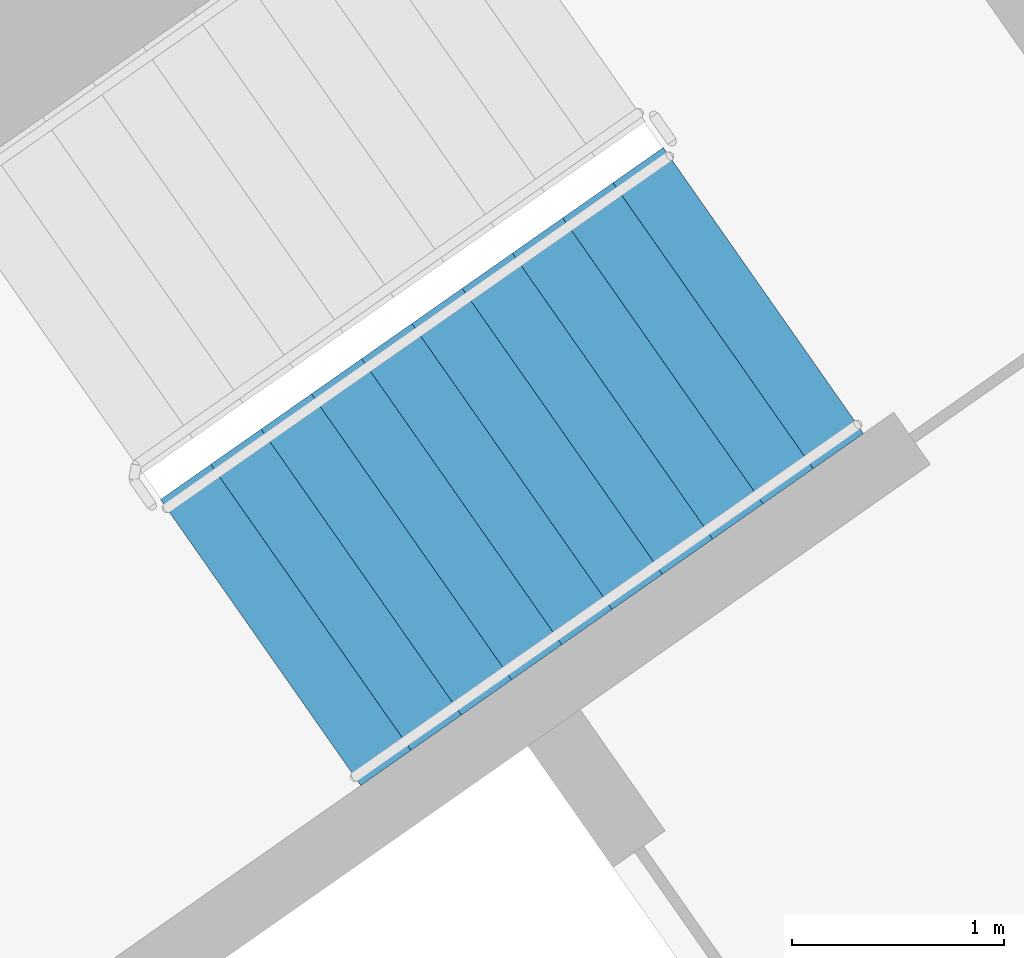
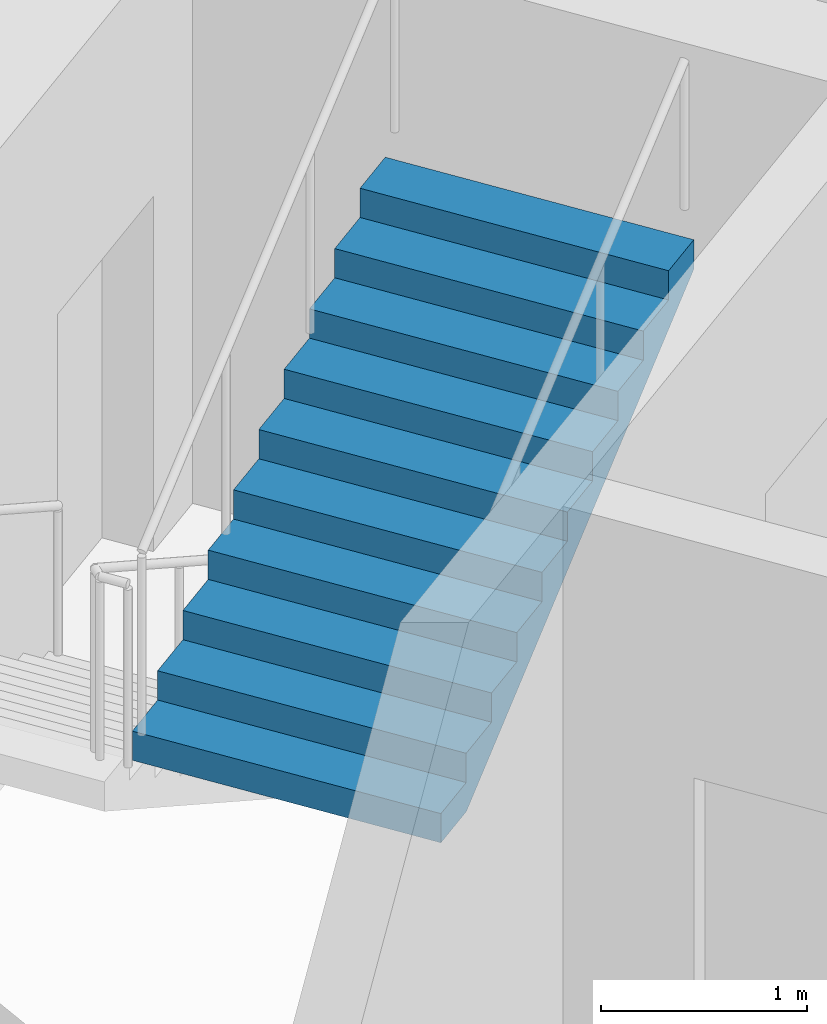
# One storey, part 14 of 29: 1 stair flight, 1 element without a shape of its own.
"""IFC4 building model written with IfcOpenShell, lengths in metres."""

from ifc_helpers import new_model, si_unit, direction, frame, origin, place, context, subcontext, project, spatial, faceted_brep, material, type_object, element, aggregate, save


model = new_model("IFC4")

# Units and contexts
model_context = context("Model", 3, precision=1e-05, world=origin(), true_north=direction((0.0, 1.0)))
body_context = subcontext(model_context, "Body", "Model", "MODEL_VIEW")
ifc_project = project(units=[si_unit("LENGTHUNIT", "METRE"), si_unit("AREAUNIT", "SQUARE_METRE"), si_unit("VOLUMEUNIT", "CUBIC_METRE"), si_unit("PLANEANGLEUNIT", "RADIAN"), si_unit("MASSUNIT", "GRAM", prefix="KILO")], contexts=[model_context])

# Site, building, storey
site_placement = place(None, origin())
site = spatial("IfcSite", under=ifc_project, at=site_placement, CompositionType="ELEMENT")
building_placement = place(site_placement, origin())
building = spatial("IfcBuilding", under=site, at=building_placement, Name="Qamariyya Broadcast Tower", CompositionType="ELEMENT")
storey_placement = place(building_placement, frame((0.0, 0.0, 258.10009765625)))
storey = spatial("IfcBuildingStorey", under=building, at=storey_placement, Name="L62", CompositionType="ELEMENT", Elevation=258.10009765625)

# Stair, stair flight
ifc_material = material(Name="Concrete C50/60", Category="concrete")
stair_type = type_object("IfcStairType", Name="Exit stair 22 risers of 173 mm", PredefinedType="HALF_TURN_STAIR", material=ifc_material)
stair_placement = place(storey_placement, origin())
stair = element("IfcStair", 1, at=stair_placement, inside=storey, type_object=stair_type, Name="L62 Stair E2", PredefinedType="HALF_TURN_STAIR")
stair_flight_type = type_object("IfcStairFlightType", Name="Exit stair flight 11 risers of 173 mm", PredefinedType="STRAIGHT", material=ifc_material)
stair_flight_placement = place(storey_placement, frame((39.215576171875, -50.822998046875, 1.89990234375), z_axis=(0.0, 0.0, 1.0), x_axis=(0.819152044289, 0.573576436351, 0.0)))
stair_flight = element("IfcStairFlight", 2, at=stair_flight_placement, type_object=stair_flight_type, Name="ST-E2 flight 2", NumberOfRisers=11, NumberOfTreads=10, PredefinedType="STRAIGHT", RiserHeight=0.172727273, TreadLength=0.29, context=body_context, shape_type="Brep", body=[
    faceted_brep([(0.0, 0.824951171875, 0.0), (0.0, 0.824951171875, 0.172607421875), (0.2900390625, 0.824951171875, 0.172607421875), (0.2900390625, 0.824951171875, 0.345458984375), (0.580078125, 0.824951171875, 0.345458984375), (0.580078125, 0.824951171875, 0.51806640625), (0.8701171875, 0.824951171875, 0.51806640625), (0.8701171875, 0.824951171875, 0.69091796875), (1.159912109375, 0.824951171875, 0.69091796875), (1.159912109375, 0.824951171875, 0.863525390625), (1.449951171875, 0.824951171875, 0.863525390625), (1.449951171875, 0.824951171875, 1.036376953125), (1.739990234375, 0.824951171875, 1.036376953125), (1.739990234375, 0.824951171875, 1.208984375), (2.030029296875, 0.824951171875, 1.208984375), (2.030029296875, 0.824951171875, 1.3818359375), (2.320068359375, 0.824951171875, 1.3818359375), (2.320068359375, 0.824951171875, 1.554443359375), (2.610107421875, 0.824951171875, 1.554443359375), (2.610107421875, 0.824951171875, 1.727294921875), (2.89990234375, 0.824951171875, 1.727294921875), (2.89990234375, 0.824951171875, 1.552734375), (0.29296875, 0.824951171875, 0.0), (0.29296875, -0.824951171875, 0.0), (2.89990234375, -0.824951171875, 1.552734375), (2.89990234375, -0.824951171875, 1.727294921875), (2.610107421875, -0.824951171875, 1.727294921875), (2.610107421875, -0.824951171875, 1.554443359375), (2.320068359375, -0.824951171875, 1.554443359375), (2.320068359375, -0.824951171875, 1.3818359375), (2.030029296875, -0.824951171875, 1.3818359375), (2.030029296875, -0.824951171875, 1.208984375), (1.739990234375, -0.824951171875, 1.208984375), (1.739990234375, -0.824951171875, 1.036376953125), (1.449951171875, -0.824951171875, 1.036376953125), (1.449951171875, -0.824951171875, 0.863525390625), (1.159912109375, -0.824951171875, 0.863525390625), (1.159912109375, -0.824951171875, 0.69091796875), (0.8701171875, -0.824951171875, 0.69091796875), (0.8701171875, -0.824951171875, 0.51806640625), (0.580078125, -0.824951171875, 0.51806640625), (0.580078125, -0.824951171875, 0.345458984375), (0.2900390625, -0.824951171875, 0.345458984375), (0.2900390625, -0.824951171875, 0.172607421875), (0.0, -0.824951171875, 0.172607421875), (0.0, -0.824951171875, 0.0), (0.0, 0.10009765625, 0.0), (0.0, 0.086669921875, 0.0), (0.0, 0.0732421875, 0.0), (0.0, 0.06005859375, 0.0), (0.0, 0.046630859375, 0.0), (0.0, 0.033447265625, 0.0), (0.0, 0.02001953125, 0.0), (0.0, 0.006591796875, 0.0), (0.0, -0.006591796875, 0.0), (0.0, -0.02001953125, 0.0), (0.0, -0.033447265625, 0.0), (0.0, -0.046630859375, 0.0), (0.0, -0.06005859375, 0.0), (0.0, -0.0732421875, 0.0), (0.0, -0.086669921875, 0.0), (0.0, -0.10009765625, 0.0), (0.0, -0.10009765625, 0.172607421875), (0.0, -0.086669921875, 0.172607421875), (0.0, -0.0732421875, 0.172607421875), (0.0, -0.06005859375, 0.172607421875), (0.0, -0.046630859375, 0.172607421875), (0.0, -0.033447265625, 0.172607421875), (0.0, -0.02001953125, 0.172607421875), (0.0, -0.006591796875, 0.172607421875), (0.0, 0.006591796875, 0.172607421875), (0.0, 0.02001953125, 0.172607421875), (0.0, 0.033447265625, 0.172607421875), (0.0, 0.046630859375, 0.172607421875), (0.0, 0.06005859375, 0.172607421875), (0.0, 0.0732421875, 0.172607421875), (0.0, 0.086669921875, 0.172607421875), (0.0, 0.10009765625, 0.172607421875), (0.2900390625, -0.10009765625, 0.172607421875), (0.2900390625, -0.086669921875, 0.172607421875), (0.2900390625, -0.0732421875, 0.172607421875), (0.2900390625, -0.06005859375, 0.172607421875), (0.2900390625, -0.046630859375, 0.172607421875), (0.2900390625, -0.033447265625, 0.172607421875), (0.2900390625, -0.02001953125, 0.172607421875), (0.2900390625, -0.006591796875, 0.172607421875), (0.2900390625, 0.006591796875, 0.172607421875), (0.2900390625, 0.02001953125, 0.172607421875), (0.2900390625, 0.033447265625, 0.172607421875), (0.2900390625, 0.046630859375, 0.172607421875), (0.2900390625, 0.06005859375, 0.172607421875), (0.2900390625, 0.0732421875, 0.172607421875), (0.2900390625, 0.086669921875, 0.172607421875), (0.2900390625, 0.10009765625, 0.172607421875), (0.2900390625, -0.10009765625, 0.345458984375), (0.2900390625, -0.086669921875, 0.345458984375), (0.2900390625, -0.0732421875, 0.345458984375), (0.2900390625, -0.06005859375, 0.345458984375), (0.2900390625, -0.046630859375, 0.345458984375), (0.2900390625, -0.033447265625, 0.345458984375), (0.2900390625, -0.02001953125, 0.345458984375), (0.2900390625, -0.006591796875, 0.345458984375), (0.2900390625, 0.006591796875, 0.345458984375), (0.2900390625, 0.02001953125, 0.345458984375), (0.2900390625, 0.033447265625, 0.345458984375), (0.2900390625, 0.046630859375, 0.345458984375), (0.2900390625, 0.06005859375, 0.345458984375), (0.2900390625, 0.0732421875, 0.345458984375), (0.2900390625, 0.086669921875, 0.345458984375), (0.2900390625, 0.10009765625, 0.345458984375), (0.580078125, -0.10009765625, 0.345458984375), (0.580078125, -0.086669921875, 0.345458984375), (0.580078125, -0.0732421875, 0.345458984375), (0.580078125, -0.06005859375, 0.345458984375), (0.580078125, -0.046630859375, 0.345458984375), (0.580078125, -0.033447265625, 0.345458984375), (0.580078125, -0.02001953125, 0.345458984375), (0.580078125, -0.006591796875, 0.345458984375), (0.580078125, 0.006591796875, 0.345458984375), (0.580078125, 0.02001953125, 0.345458984375), (0.580078125, 0.033447265625, 0.345458984375), (0.580078125, 0.046630859375, 0.345458984375), (0.580078125, 0.06005859375, 0.345458984375), (0.580078125, 0.0732421875, 0.345458984375), (0.580078125, 0.086669921875, 0.345458984375), (0.580078125, 0.10009765625, 0.345458984375), (0.580078125, -0.10009765625, 0.51806640625), (0.580078125, -0.086669921875, 0.51806640625), (0.580078125, -0.0732421875, 0.51806640625), (0.580078125, -0.06005859375, 0.51806640625), (0.580078125, -0.046630859375, 0.51806640625), (0.580078125, -0.033447265625, 0.51806640625), (0.580078125, -0.02001953125, 0.51806640625), (0.580078125, -0.006591796875, 0.51806640625), (0.580078125, 0.006591796875, 0.51806640625), (0.580078125, 0.02001953125, 0.51806640625), (0.580078125, 0.033447265625, 0.51806640625), (0.580078125, 0.046630859375, 0.51806640625), (0.580078125, 0.06005859375, 0.51806640625), (0.580078125, 0.0732421875, 0.51806640625), (0.580078125, 0.086669921875, 0.51806640625), (0.580078125, 0.10009765625, 0.51806640625), (0.8701171875, -0.10009765625, 0.51806640625), (0.8701171875, -0.086669921875, 0.51806640625), (0.8701171875, -0.0732421875, 0.51806640625), (0.8701171875, -0.06005859375, 0.51806640625), (0.8701171875, -0.046630859375, 0.51806640625), (0.8701171875, -0.033447265625, 0.51806640625), (0.8701171875, -0.02001953125, 0.51806640625), (0.8701171875, -0.006591796875, 0.51806640625), (0.8701171875, 0.006591796875, 0.51806640625), (0.8701171875, 0.02001953125, 0.51806640625), (0.8701171875, 0.033447265625, 0.51806640625), (0.8701171875, 0.046630859375, 0.51806640625), (0.8701171875, 0.06005859375, 0.51806640625), (0.8701171875, 0.0732421875, 0.51806640625), (0.8701171875, 0.086669921875, 0.51806640625), (0.8701171875, 0.10009765625, 0.51806640625), (0.8701171875, -0.10009765625, 0.69091796875), (0.8701171875, -0.086669921875, 0.69091796875), (0.8701171875, -0.0732421875, 0.69091796875), (0.8701171875, -0.06005859375, 0.69091796875), (0.8701171875, -0.046630859375, 0.69091796875), (0.8701171875, -0.033447265625, 0.69091796875), (0.8701171875, -0.02001953125, 0.69091796875), (0.8701171875, -0.006591796875, 0.69091796875), (0.8701171875, 0.006591796875, 0.69091796875), (0.8701171875, 0.02001953125, 0.69091796875), (0.8701171875, 0.033447265625, 0.69091796875), (0.8701171875, 0.046630859375, 0.69091796875), (0.8701171875, 0.06005859375, 0.69091796875), (0.8701171875, 0.0732421875, 0.69091796875), (0.8701171875, 0.086669921875, 0.69091796875), (0.8701171875, 0.10009765625, 0.69091796875), (1.159912109375, -0.10009765625, 0.69091796875), (1.159912109375, -0.086669921875, 0.69091796875), (1.159912109375, -0.0732421875, 0.69091796875), (1.159912109375, -0.06005859375, 0.69091796875), (1.159912109375, -0.046630859375, 0.69091796875), (1.159912109375, -0.033447265625, 0.69091796875), (1.159912109375, -0.02001953125, 0.69091796875), (1.159912109375, -0.006591796875, 0.69091796875), (1.159912109375, 0.006591796875, 0.69091796875), (1.159912109375, 0.02001953125, 0.69091796875), (1.159912109375, 0.033447265625, 0.69091796875), (1.159912109375, 0.046630859375, 0.69091796875), (1.159912109375, 0.06005859375, 0.69091796875), (1.159912109375, 0.0732421875, 0.69091796875), (1.159912109375, 0.086669921875, 0.69091796875), (1.159912109375, 0.10009765625, 0.69091796875), (1.159912109375, -0.10009765625, 0.863525390625), (1.159912109375, -0.086669921875, 0.863525390625), (1.159912109375, -0.0732421875, 0.863525390625), (1.159912109375, -0.06005859375, 0.863525390625), (1.159912109375, -0.046630859375, 0.863525390625), (1.159912109375, -0.033447265625, 0.863525390625), (1.159912109375, -0.02001953125, 0.863525390625), (1.159912109375, -0.006591796875, 0.863525390625), (1.159912109375, 0.006591796875, 0.863525390625), (1.159912109375, 0.02001953125, 0.863525390625), (1.159912109375, 0.033447265625, 0.863525390625), (1.159912109375, 0.046630859375, 0.863525390625), (1.159912109375, 0.06005859375, 0.863525390625), (1.159912109375, 0.0732421875, 0.863525390625), (1.159912109375, 0.086669921875, 0.863525390625), (1.159912109375, 0.10009765625, 0.863525390625), (1.449951171875, -0.10009765625, 0.863525390625), (1.449951171875, -0.086669921875, 0.863525390625), (1.449951171875, -0.0732421875, 0.863525390625), (1.449951171875, -0.06005859375, 0.863525390625), (1.449951171875, -0.046630859375, 0.863525390625), (1.449951171875, -0.033447265625, 0.863525390625), (1.449951171875, -0.02001953125, 0.863525390625), (1.449951171875, -0.006591796875, 0.863525390625), (1.449951171875, 0.006591796875, 0.863525390625), (1.449951171875, 0.02001953125, 0.863525390625), (1.449951171875, 0.033447265625, 0.863525390625), (1.449951171875, 0.046630859375, 0.863525390625), (1.449951171875, 0.06005859375, 0.863525390625), (1.449951171875, 0.0732421875, 0.863525390625), (1.449951171875, 0.086669921875, 0.863525390625), (1.449951171875, 0.10009765625, 0.863525390625), (1.449951171875, -0.10009765625, 1.036376953125), (1.449951171875, -0.086669921875, 1.036376953125), (1.449951171875, -0.0732421875, 1.036376953125), (1.449951171875, -0.06005859375, 1.036376953125), (1.449951171875, -0.046630859375, 1.036376953125), (1.449951171875, -0.033447265625, 1.036376953125), (1.449951171875, -0.02001953125, 1.036376953125), (1.449951171875, -0.006591796875, 1.036376953125), (1.449951171875, 0.006591796875, 1.036376953125), (1.449951171875, 0.02001953125, 1.036376953125), (1.449951171875, 0.033447265625, 1.036376953125), (1.449951171875, 0.046630859375, 1.036376953125), (1.449951171875, 0.06005859375, 1.036376953125), (1.449951171875, 0.0732421875, 1.036376953125), (1.449951171875, 0.086669921875, 1.036376953125), (1.449951171875, 0.10009765625, 1.036376953125), (1.739990234375, -0.10009765625, 1.036376953125), (1.739990234375, -0.086669921875, 1.036376953125), (1.739990234375, -0.0732421875, 1.036376953125), (1.739990234375, -0.06005859375, 1.036376953125), (1.739990234375, -0.046630859375, 1.036376953125), (1.739990234375, -0.033447265625, 1.036376953125), (1.739990234375, -0.02001953125, 1.036376953125), (1.739990234375, -0.006591796875, 1.036376953125), (1.739990234375, 0.006591796875, 1.036376953125), (1.739990234375, 0.02001953125, 1.036376953125), (1.739990234375, 0.033447265625, 1.036376953125), (1.739990234375, 0.046630859375, 1.036376953125), (1.739990234375, 0.06005859375, 1.036376953125), (1.739990234375, 0.0732421875, 1.036376953125), (1.739990234375, 0.086669921875, 1.036376953125), (1.739990234375, 0.10009765625, 1.036376953125), (1.739990234375, -0.10009765625, 1.208984375), (1.739990234375, -0.086669921875, 1.208984375), (1.739990234375, -0.0732421875, 1.208984375), (1.739990234375, -0.06005859375, 1.208984375), (1.739990234375, -0.046630859375, 1.208984375), (1.739990234375, -0.033447265625, 1.208984375), (1.739990234375, -0.02001953125, 1.208984375), (1.739990234375, -0.006591796875, 1.208984375), (1.739990234375, 0.006591796875, 1.208984375), (1.739990234375, 0.02001953125, 1.208984375), (1.739990234375, 0.033447265625, 1.208984375), (1.739990234375, 0.046630859375, 1.208984375), (1.739990234375, 0.06005859375, 1.208984375), (1.739990234375, 0.0732421875, 1.208984375), (1.739990234375, 0.086669921875, 1.208984375), (1.739990234375, 0.10009765625, 1.208984375), (2.030029296875, -0.10009765625, 1.208984375), (2.030029296875, -0.086669921875, 1.208984375), (2.030029296875, -0.0732421875, 1.208984375), (2.030029296875, -0.06005859375, 1.208984375), (2.030029296875, -0.046630859375, 1.208984375), (2.030029296875, -0.033447265625, 1.208984375), (2.030029296875, -0.02001953125, 1.208984375), (2.030029296875, -0.006591796875, 1.208984375), (2.030029296875, 0.006591796875, 1.208984375), (2.030029296875, 0.02001953125, 1.208984375), (2.030029296875, 0.033447265625, 1.208984375), (2.030029296875, 0.046630859375, 1.208984375), (2.030029296875, 0.06005859375, 1.208984375), (2.030029296875, 0.0732421875, 1.208984375), (2.030029296875, 0.086669921875, 1.208984375), (2.030029296875, 0.10009765625, 1.208984375), (2.030029296875, -0.10009765625, 1.3818359375), (2.030029296875, -0.086669921875, 1.3818359375), (2.030029296875, -0.0732421875, 1.3818359375), (2.030029296875, -0.06005859375, 1.3818359375), (2.030029296875, -0.046630859375, 1.3818359375), (2.030029296875, -0.033447265625, 1.3818359375), (2.030029296875, -0.02001953125, 1.3818359375), (2.030029296875, -0.006591796875, 1.3818359375), (2.030029296875, 0.006591796875, 1.3818359375), (2.030029296875, 0.02001953125, 1.3818359375), (2.030029296875, 0.033447265625, 1.3818359375), (2.030029296875, 0.046630859375, 1.3818359375), (2.030029296875, 0.06005859375, 1.3818359375), (2.030029296875, 0.0732421875, 1.3818359375), (2.030029296875, 0.086669921875, 1.3818359375), (2.030029296875, 0.10009765625, 1.3818359375), (2.320068359375, -0.10009765625, 1.3818359375), (2.320068359375, -0.086669921875, 1.3818359375), (2.320068359375, -0.0732421875, 1.3818359375), (2.320068359375, -0.06005859375, 1.3818359375), (2.320068359375, -0.046630859375, 1.3818359375), (2.320068359375, -0.033447265625, 1.3818359375), (2.320068359375, -0.02001953125, 1.3818359375), (2.320068359375, -0.006591796875, 1.3818359375), (2.320068359375, 0.006591796875, 1.3818359375), (2.320068359375, 0.02001953125, 1.3818359375), (2.320068359375, 0.033447265625, 1.3818359375), (2.320068359375, 0.046630859375, 1.3818359375), (2.320068359375, 0.06005859375, 1.3818359375), (2.320068359375, 0.0732421875, 1.3818359375), (2.320068359375, 0.086669921875, 1.3818359375), (2.320068359375, 0.10009765625, 1.3818359375), (2.320068359375, -0.10009765625, 1.554443359375), (2.320068359375, -0.086669921875, 1.554443359375), (2.320068359375, -0.0732421875, 1.554443359375), (2.320068359375, -0.06005859375, 1.554443359375), (2.320068359375, -0.046630859375, 1.554443359375), (2.320068359375, -0.033447265625, 1.554443359375), (2.320068359375, -0.02001953125, 1.554443359375), (2.320068359375, -0.006591796875, 1.554443359375), (2.320068359375, 0.006591796875, 1.554443359375), (2.320068359375, 0.02001953125, 1.554443359375), (2.320068359375, 0.033447265625, 1.554443359375), (2.320068359375, 0.046630859375, 1.554443359375), (2.320068359375, 0.06005859375, 1.554443359375), (2.320068359375, 0.0732421875, 1.554443359375), (2.320068359375, 0.086669921875, 1.554443359375), (2.320068359375, 0.10009765625, 1.554443359375), (2.610107421875, -0.10009765625, 1.554443359375), (2.610107421875, -0.086669921875, 1.554443359375), (2.610107421875, -0.0732421875, 1.554443359375), (2.610107421875, -0.06005859375, 1.554443359375), (2.610107421875, -0.046630859375, 1.554443359375), (2.610107421875, -0.033447265625, 1.554443359375), (2.610107421875, -0.02001953125, 1.554443359375), (2.610107421875, -0.006591796875, 1.554443359375), (2.610107421875, 0.006591796875, 1.554443359375), (2.610107421875, 0.02001953125, 1.554443359375), (2.610107421875, 0.033447265625, 1.554443359375), (2.610107421875, 0.046630859375, 1.554443359375), (2.610107421875, 0.06005859375, 1.554443359375), (2.610107421875, 0.0732421875, 1.554443359375), (2.610107421875, 0.086669921875, 1.554443359375), (2.610107421875, 0.10009765625, 1.554443359375), (2.610107421875, -0.10009765625, 1.727294921875), (2.610107421875, -0.086669921875, 1.727294921875), (2.610107421875, -0.0732421875, 1.727294921875), (2.610107421875, -0.06005859375, 1.727294921875), (2.610107421875, -0.046630859375, 1.727294921875), (2.610107421875, -0.033447265625, 1.727294921875), (2.610107421875, -0.02001953125, 1.727294921875), (2.610107421875, -0.006591796875, 1.727294921875), (2.610107421875, 0.006591796875, 1.727294921875), (2.610107421875, 0.02001953125, 1.727294921875), (2.610107421875, 0.033447265625, 1.727294921875), (2.610107421875, 0.046630859375, 1.727294921875), (2.610107421875, 0.06005859375, 1.727294921875), (2.610107421875, 0.0732421875, 1.727294921875), (2.610107421875, 0.086669921875, 1.727294921875), (2.610107421875, 0.10009765625, 1.727294921875), (2.89990234375, -0.10009765625, 1.727294921875), (2.89990234375, -0.086669921875, 1.727294921875), (2.89990234375, -0.0732421875, 1.727294921875), (2.89990234375, -0.06005859375, 1.727294921875), (2.89990234375, -0.046630859375, 1.727294921875), (2.89990234375, -0.033447265625, 1.727294921875), (2.89990234375, -0.02001953125, 1.727294921875), (2.89990234375, -0.006591796875, 1.727294921875), (2.89990234375, 0.006591796875, 1.727294921875), (2.89990234375, 0.02001953125, 1.727294921875), (2.89990234375, 0.033447265625, 1.727294921875), (2.89990234375, 0.046630859375, 1.727294921875), (2.89990234375, 0.06005859375, 1.727294921875), (2.89990234375, 0.0732421875, 1.727294921875), (2.89990234375, 0.086669921875, 1.727294921875), (2.89990234375, 0.10009765625, 1.727294921875), (2.89990234375, -0.10009765625, 1.552734375), (2.89990234375, -0.086669921875, 1.552734375), (2.89990234375, -0.0732421875, 1.552734375), (2.89990234375, -0.06005859375, 1.552734375), (2.89990234375, -0.046630859375, 1.552734375), (2.89990234375, -0.033447265625, 1.552734375), (2.89990234375, -0.02001953125, 1.552734375), (2.89990234375, -0.006591796875, 1.552734375), (2.89990234375, 0.006591796875, 1.552734375), (2.89990234375, 0.02001953125, 1.552734375), (2.89990234375, 0.033447265625, 1.552734375), (2.89990234375, 0.046630859375, 1.552734375), (2.89990234375, 0.06005859375, 1.552734375), (2.89990234375, 0.0732421875, 1.552734375), (2.89990234375, 0.086669921875, 1.552734375), (2.89990234375, 0.10009765625, 1.552734375), (0.29296875, -0.10009765625, 0.0), (0.29296875, -0.086669921875, 0.0), (0.29296875, -0.0732421875, 0.0), (0.29296875, -0.06005859375, 0.0), (0.29296875, -0.046630859375, 0.0), (0.29296875, -0.033447265625, 0.0), (0.29296875, -0.02001953125, 0.0), (0.29296875, -0.006591796875, 0.0), (0.29296875, 0.006591796875, 0.0), (0.29296875, 0.02001953125, 0.0), (0.29296875, 0.033447265625, 0.0), (0.29296875, 0.046630859375, 0.0), (0.29296875, 0.06005859375, 0.0), (0.29296875, 0.0732421875, 0.0), (0.29296875, 0.086669921875, 0.0), (0.29296875, 0.10009765625, 0.0)], [[[0, 1, 2, 3, 4, 5, 6, 7, 8, 9, 10, 11, 12, 13, 14, 15, 16, 17, 18, 19, 20, 21, 22]], [[23, 24, 25, 26, 27, 28, 29, 30, 31, 32, 33, 34, 35, 36, 37, 38, 39, 40, 41, 42, 43, 44, 45]], [[0, 46, 47, 48, 49, 50, 51, 52, 53, 54, 55, 56, 57, 58, 59, 60, 61, 45, 44, 62, 63, 64, 65, 66, 67, 68, 69, 70, 71, 72, 73, 74, 75, 76, 77, 1]], [[1, 77, 76, 75, 74, 73, 72, 71, 70, 69, 68, 67, 66, 65, 64, 63, 62, 44, 43, 78, 79, 80, 81, 82, 83, 84, 85, 86, 87, 88, 89, 90, 91, 92, 93, 2]], [[2, 93, 92, 91, 90, 89, 88, 87, 86, 85, 84, 83, 82, 81, 80, 79, 78, 43, 42, 94, 95, 96, 97, 98, 99, 100, 101, 102, 103, 104, 105, 106, 107, 108, 109, 3]], [[3, 109, 108, 107, 106, 105, 104, 103, 102, 101, 100, 99, 98, 97, 96, 95, 94, 42, 41, 110, 111, 112, 113, 114, 115, 116, 117, 118, 119, 120, 121, 122, 123, 124, 125, 4]], [[4, 125, 124, 123, 122, 121, 120, 119, 118, 117, 116, 115, 114, 113, 112, 111, 110, 41, 40, 126, 127, 128, 129, 130, 131, 132, 133, 134, 135, 136, 137, 138, 139, 140, 141, 5]], [[5, 141, 140, 139, 138, 137, 136, 135, 134, 133, 132, 131, 130, 129, 128, 127, 126, 40, 39, 142, 143, 144, 145, 146, 147, 148, 149, 150, 151, 152, 153, 154, 155, 156, 157, 6]], [[6, 157, 156, 155, 154, 153, 152, 151, 150, 149, 148, 147, 146, 145, 144, 143, 142, 39, 38, 158, 159, 160, 161, 162, 163, 164, 165, 166, 167, 168, 169, 170, 171, 172, 173, 7]], [[7, 173, 172, 171, 170, 169, 168, 167, 166, 165, 164, 163, 162, 161, 160, 159, 158, 38, 37, 174, 175, 176, 177, 178, 179, 180, 181, 182, 183, 184, 185, 186, 187, 188, 189, 8]], [[8, 189, 188, 187, 186, 185, 184, 183, 182, 181, 180, 179, 178, 177, 176, 175, 174, 37, 36, 190, 191, 192, 193, 194, 195, 196, 197, 198, 199, 200, 201, 202, 203, 204, 205, 9]], [[9, 205, 204, 203, 202, 201, 200, 199, 198, 197, 196, 195, 194, 193, 192, 191, 190, 36, 35, 206, 207, 208, 209, 210, 211, 212, 213, 214, 215, 216, 217, 218, 219, 220, 221, 10]], [[10, 221, 220, 219, 218, 217, 216, 215, 214, 213, 212, 211, 210, 209, 208, 207, 206, 35, 34, 222, 223, 224, 225, 226, 227, 228, 229, 230, 231, 232, 233, 234, 235, 236, 237, 11]], [[11, 237, 236, 235, 234, 233, 232, 231, 230, 229, 228, 227, 226, 225, 224, 223, 222, 34, 33, 238, 239, 240, 241, 242, 243, 244, 245, 246, 247, 248, 249, 250, 251, 252, 253, 12]], [[12, 253, 252, 251, 250, 249, 248, 247, 246, 245, 244, 243, 242, 241, 240, 239, 238, 33, 32, 254, 255, 256, 257, 258, 259, 260, 261, 262, 263, 264, 265, 266, 267, 268, 269, 13]], [[13, 269, 268, 267, 266, 265, 264, 263, 262, 261, 260, 259, 258, 257, 256, 255, 254, 32, 31, 270, 271, 272, 273, 274, 275, 276, 277, 278, 279, 280, 281, 282, 283, 284, 285, 14]], [[14, 285, 284, 283, 282, 281, 280, 279, 278, 277, 276, 275, 274, 273, 272, 271, 270, 31, 30, 286, 287, 288, 289, 290, 291, 292, 293, 294, 295, 296, 297, 298, 299, 300, 301, 15]], [[15, 301, 300, 299, 298, 297, 296, 295, 294, 293, 292, 291, 290, 289, 288, 287, 286, 30, 29, 302, 303, 304, 305, 306, 307, 308, 309, 310, 311, 312, 313, 314, 315, 316, 317, 16]], [[16, 317, 316, 315, 314, 313, 312, 311, 310, 309, 308, 307, 306, 305, 304, 303, 302, 29, 28, 318, 319, 320, 321, 322, 323, 324, 325, 326, 327, 328, 329, 330, 331, 332, 333, 17]], [[17, 333, 332, 331, 330, 329, 328, 327, 326, 325, 324, 323, 322, 321, 320, 319, 318, 28, 27, 334, 335, 336, 337, 338, 339, 340, 341, 342, 343, 344, 345, 346, 347, 348, 349, 18]], [[18, 349, 348, 347, 346, 345, 344, 343, 342, 341, 340, 339, 338, 337, 336, 335, 334, 27, 26, 350, 351, 352, 353, 354, 355, 356, 357, 358, 359, 360, 361, 362, 363, 364, 365, 19]], [[19, 365, 364, 363, 362, 361, 360, 359, 358, 357, 356, 355, 354, 353, 352, 351, 350, 26, 25, 366, 367, 368, 369, 370, 371, 372, 373, 374, 375, 376, 377, 378, 379, 380, 381, 20]], [[20, 381, 380, 379, 378, 377, 376, 375, 374, 373, 372, 371, 370, 369, 368, 367, 366, 25, 24, 382, 383, 384, 385, 386, 387, 388, 389, 390, 391, 392, 393, 394, 395, 396, 397, 21]], [[21, 397, 396, 395, 394, 393, 392, 391, 390, 389, 388, 387, 386, 385, 384, 383, 382, 24, 23, 398, 399, 400, 401, 402, 403, 404, 405, 406, 407, 408, 409, 410, 411, 412, 413, 22]], [[22, 413, 412, 411, 410, 409, 408, 407, 406, 405, 404, 403, 402, 401, 400, 399, 398, 23, 45, 61, 60, 59, 58, 57, 56, 55, 54, 53, 52, 51, 50, 49, 48, 47, 46, 0]]]),
])
aggregate(stair, [stair_flight])

save(model, "model.ifc")
